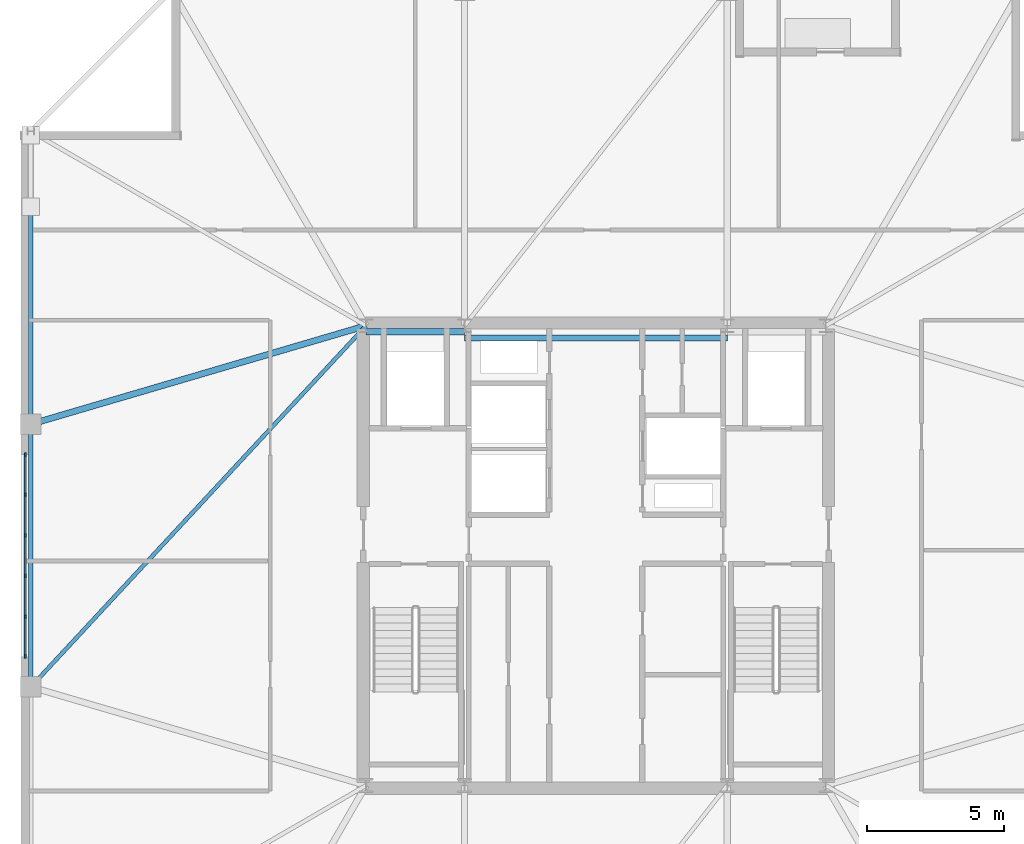
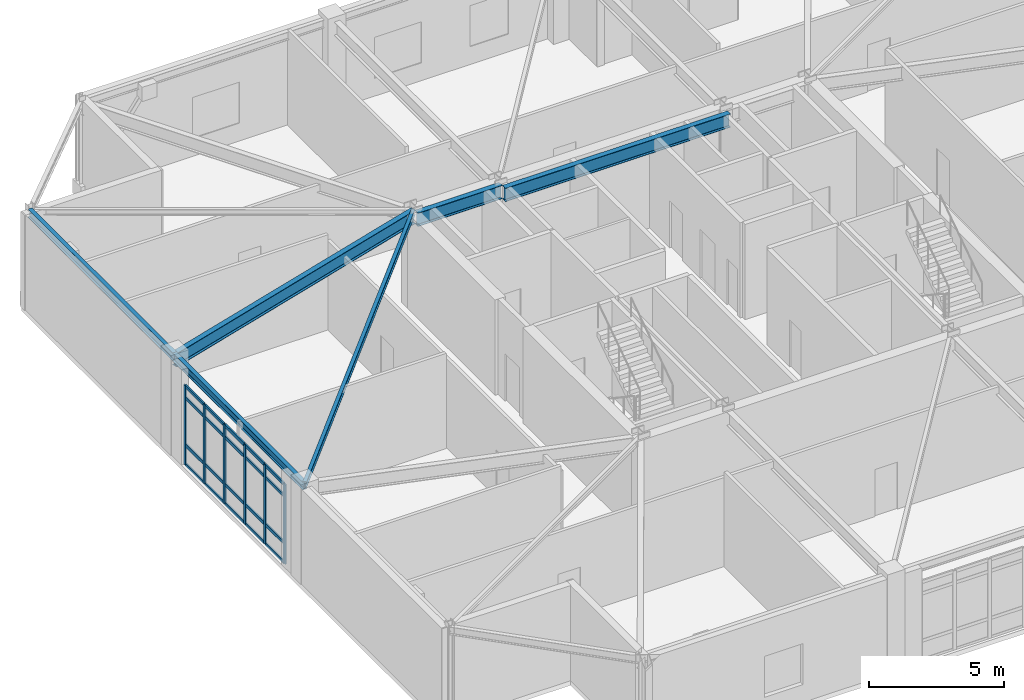
# One storey, part 8 of 16: 26 members, 6 beams, 1 element without a shape of its own.
"""IFC4 building model written with IfcOpenShell, lengths in metres."""

from ifc_helpers import new_model, si_unit, direction, frame, origin, origin_2d, place, context, subcontext, project, spatial, rectangle, i_section, extrude, material, layer, layer_set, material_profile, profile_set, type_object, element, aggregate, save


model = new_model("IFC4")

# Units and contexts
model_context = context("Model", 3, precision=1e-05, world=origin(), true_north=direction((0.0, 1.0)))
body_context = subcontext(model_context, "Body", "Model", "MODEL_VIEW")
ifc_project = project(units=[si_unit("LENGTHUNIT", "METRE"), si_unit("AREAUNIT", "SQUARE_METRE"), si_unit("VOLUMEUNIT", "CUBIC_METRE"), si_unit("PLANEANGLEUNIT", "RADIAN"), si_unit("MASSUNIT", "GRAM", prefix="KILO")], contexts=[model_context])

# Site, building, storey
site_placement = place(None, origin())
site = spatial("IfcSite", under=ifc_project, at=site_placement, CompositionType="ELEMENT")
building_placement = place(site_placement, origin())
building = spatial("IfcBuilding", under=site, at=building_placement, Name="Cairnveth Concourse Tower", CompositionType="ELEMENT")
storey_placement = place(building_placement, frame((0.0, 0.0, 315.5)))
storey = spatial("IfcBuildingStorey", under=building, at=storey_placement, Name="L87", CompositionType="ELEMENT", Elevation=315.5)

# Curtain wall, members
ifc_material_1 = material(Name="Architectural Bronze Anodised Aluminium 6063-T6", Category="aluminium")
ifc_layer = layer(ifc_material_1, 0.300048828125)
ifc_layer_set = layer_set([ifc_layer], Name="Architectural Bronze Anodised Aluminium 6063-T6")
curtain_wall_type = type_object("IfcCurtainWallType", Name="OBSERVATION HORIZON CURTAIN WALL", PredefinedType="USERDEFINED", material=ifc_layer_set)
curtain_wall_placement = place(storey_placement, origin())
curtain_wall = element("IfcCurtainWall", 1, at=curtain_wall_placement, inside=storey, type_object=curtain_wall_type, Name="Curtain Wall CW-L87-F9", ObjectType="UNITISED FACADE", PredefinedType="USERDEFINED")
ifc_material_profile_1 = material_profile(ifc_material_1, rectangle(XDim=0.06494140625, YDim=0.14990234375, at=origin_2d()), Name="AL-MUL-65x150")
ifc_profile_set_1 = profile_set([ifc_material_profile_1], Name="Architectural Bronze Anodised Aluminium 6063-T6")
member_type_1 = type_object("IfcMemberType", Name="BRONZE CURTAIN WALL MULLION AL-MUL-65x150", PredefinedType="MULLION", material=ifc_profile_set_1)
member_1_placement = place(storey_placement, frame((31.14990234375, 35.3173828125, 0.0), z_axis=(0.0, 0.0, 1.0), x_axis=(-1.0, 0.0, 0.0)))
member_1 = element("IfcMember", 2, at=member_1_placement, type_object=member_type_1, Name="CWS5 mullion 1", PredefinedType="MULLION", context=body_context, shape_type="SweptSolid", body=[
    extrude(rectangle(XDim=0.06494140625, YDim=0.14990234375, at=origin_2d()), origin(), (0.0, 0.0, 1.0), 3.577880859375),
])
member_2_placement = place(storey_placement, frame((31.14990234375, 36.77099609375, 0.0), z_axis=(0.0, 0.0, 1.0), x_axis=(-1.0, 0.0, 0.0)))
member_2 = element("IfcMember", 3, at=member_2_placement, type_object=member_type_1, Name="CWS5 mullion 2", PredefinedType="MULLION", context=body_context, shape_type="SweptSolid", body=[
    extrude(rectangle(XDim=0.06494140625, YDim=0.14990234375, at=origin_2d()), origin(), (0.0, 0.0, 1.0), 3.577880859375),
])
member_3_placement = place(storey_placement, frame((31.14990234375, 38.257080078125, 0.0), z_axis=(0.0, 0.0, 1.0), x_axis=(-1.0, 0.0, 0.0)))
member_3 = element("IfcMember", 4, at=member_3_placement, type_object=member_type_1, Name="CWS5 mullion 3", PredefinedType="MULLION", context=body_context, shape_type="SweptSolid", body=[
    extrude(rectangle(XDim=0.06494140625, YDim=0.14990234375, at=origin_2d()), origin(), (0.0, 0.0, 1.0), 3.577880859375),
])
member_4_placement = place(storey_placement, frame((31.14990234375, 39.742919921875, 0.0), z_axis=(0.0, 0.0, 1.0), x_axis=(-1.0, 0.0, 0.0)))
member_4 = element("IfcMember", 5, at=member_4_placement, type_object=member_type_1, Name="CWS5 mullion 4", PredefinedType="MULLION", context=body_context, shape_type="SweptSolid", body=[
    extrude(rectangle(XDim=0.06494140625, YDim=0.14990234375, at=origin_2d()), origin(), (0.0, 0.0, 1.0), 3.577880859375),
])
member_5_placement = place(storey_placement, frame((31.14990234375, 41.22900390625, 0.0), z_axis=(0.0, 0.0, 1.0), x_axis=(-1.0, 0.0, 0.0)))
member_5 = element("IfcMember", 6, at=member_5_placement, type_object=member_type_1, Name="CWS5 mullion 5", PredefinedType="MULLION", context=body_context, shape_type="SweptSolid", body=[
    extrude(rectangle(XDim=0.06494140625, YDim=0.14990234375, at=origin_2d()), origin(), (0.0, 0.0, 1.0), 3.577880859375),
])
member_6_placement = place(storey_placement, frame((31.14990234375, 42.6826171875, 0.0), z_axis=(0.0, 0.0, 1.0), x_axis=(-1.0, 0.0, 0.0)))
member_6 = element("IfcMember", 7, at=member_6_placement, type_object=member_type_1, Name="CWS5 mullion 6", PredefinedType="MULLION", context=body_context, shape_type="SweptSolid", body=[
    extrude(rectangle(XDim=0.06494140625, YDim=0.14990234375, at=origin_2d()), origin(), (0.0, 0.0, 1.0), 3.577880859375),
])
ifc_material_profile_2 = material_profile(ifc_material_1, rectangle(XDim=0.06494140625, YDim=0.139892578125, at=origin_2d()), Name="AL-TRN-65x140")
ifc_profile_set_2 = profile_set([ifc_material_profile_2], Name="Architectural Bronze Anodised Aluminium 6063-T6")
member_type_2 = type_object("IfcMemberType", Name="BRONZE CURTAIN WALL TRANSOM AL-TRN-65x140", PredefinedType="USERDEFINED", material=ifc_profile_set_2)
member_7_placement = place(storey_placement, frame((31.14990234375, 35.35009765625, 0.032470703125), z_axis=(0.0, 1.0, 0.0), x_axis=(-1.0, 0.0, 0.0)))
member_7 = element("IfcMember", 8, at=member_7_placement, type_object=member_type_2, Name="CWS5 transom 1.1", ObjectType="TRANSOM", PredefinedType="USERDEFINED", context=body_context, shape_type="SweptSolid", body=[
    extrude(rectangle(XDim=0.06494140625, YDim=0.139892578125, at=origin_2d()), origin(), (0.0, 0.0, 1.0), 1.388427734375),
])
member_8_placement = place(storey_placement, frame((31.14990234375, 35.35009765625, 0.89990234375), z_axis=(0.0, 1.0, 0.0), x_axis=(-1.0, 0.0, 0.0)))
member_8 = element("IfcMember", 9, at=member_8_placement, type_object=member_type_2, Name="CWS5 transom 1.2", ObjectType="TRANSOM", PredefinedType="USERDEFINED", context=body_context, shape_type="SweptSolid", body=[
    extrude(rectangle(XDim=0.06494140625, YDim=0.139892578125, at=origin_2d()), origin(), (0.0, 0.0, 1.0), 1.388427734375),
])
member_9_placement = place(storey_placement, frame((31.14990234375, 35.35009765625, 3.028076171875), z_axis=(0.0, 1.0, 0.0), x_axis=(-1.0, 0.0, 0.0)))
member_9 = element("IfcMember", 10, at=member_9_placement, type_object=member_type_2, Name="CWS5 transom 1.3", ObjectType="TRANSOM", PredefinedType="USERDEFINED", context=body_context, shape_type="SweptSolid", body=[
    extrude(rectangle(XDim=0.06494140625, YDim=0.139892578125, at=origin_2d()), origin(), (0.0, 0.0, 1.0), 1.388427734375),
])
member_10_placement = place(storey_placement, frame((31.14990234375, 35.35009765625, 3.54541015625), z_axis=(0.0, 1.0, 0.0), x_axis=(-1.0, 0.0, 0.0)))
member_10 = element("IfcMember", 11, at=member_10_placement, type_object=member_type_2, Name="CWS5 transom 1.4", ObjectType="TRANSOM", PredefinedType="USERDEFINED", context=body_context, shape_type="SweptSolid", body=[
    extrude(rectangle(XDim=0.06494140625, YDim=0.139892578125, at=origin_2d()), origin(), (0.0, 0.0, 1.0), 1.388427734375),
])
member_11_placement = place(storey_placement, frame((31.14990234375, 36.803466796875, 0.032470703125), z_axis=(0.0, 1.0, 0.0), x_axis=(-1.0, 0.0, 0.0)))
member_11 = element("IfcMember", 12, at=member_11_placement, type_object=member_type_2, Name="CWS5 transom 2.1", ObjectType="TRANSOM", PredefinedType="USERDEFINED", context=body_context, shape_type="SweptSolid", body=[
    extrude(rectangle(XDim=0.06494140625, YDim=0.139892578125, at=origin_2d()), origin(), (0.0, 0.0, 1.0), 1.421142578125),
])
member_12_placement = place(storey_placement, frame((31.14990234375, 36.803466796875, 0.89990234375), z_axis=(0.0, 1.0, 0.0), x_axis=(-1.0, 0.0, 0.0)))
member_12 = element("IfcMember", 13, at=member_12_placement, type_object=member_type_2, Name="CWS5 transom 2.2", ObjectType="TRANSOM", PredefinedType="USERDEFINED", context=body_context, shape_type="SweptSolid", body=[
    extrude(rectangle(XDim=0.06494140625, YDim=0.139892578125, at=origin_2d()), origin(), (0.0, 0.0, 1.0), 1.421142578125),
])
member_13_placement = place(storey_placement, frame((31.14990234375, 36.803466796875, 3.028076171875), z_axis=(0.0, 1.0, 0.0), x_axis=(-1.0, 0.0, 0.0)))
member_13 = element("IfcMember", 14, at=member_13_placement, type_object=member_type_2, Name="CWS5 transom 2.3", ObjectType="TRANSOM", PredefinedType="USERDEFINED", context=body_context, shape_type="SweptSolid", body=[
    extrude(rectangle(XDim=0.06494140625, YDim=0.139892578125, at=origin_2d()), origin(), (0.0, 0.0, 1.0), 1.421142578125),
])
member_14_placement = place(storey_placement, frame((31.14990234375, 36.803466796875, 3.54541015625), z_axis=(0.0, 1.0, 0.0), x_axis=(-1.0, 0.0, 0.0)))
member_14 = element("IfcMember", 15, at=member_14_placement, type_object=member_type_2, Name="CWS5 transom 2.4", ObjectType="TRANSOM", PredefinedType="USERDEFINED", context=body_context, shape_type="SweptSolid", body=[
    extrude(rectangle(XDim=0.06494140625, YDim=0.139892578125, at=origin_2d()), origin(), (0.0, 0.0, 1.0), 1.421142578125),
])
member_15_placement = place(storey_placement, frame((31.14990234375, 38.28955078125, 0.032470703125), z_axis=(0.0, 1.0, 0.0), x_axis=(-1.0, 0.0, 0.0)))
member_15 = element("IfcMember", 16, at=member_15_placement, type_object=member_type_2, Name="CWS5 transom 3.1", ObjectType="TRANSOM", PredefinedType="USERDEFINED", context=body_context, shape_type="SweptSolid", body=[
    extrude(rectangle(XDim=0.06494140625, YDim=0.139892578125, at=origin_2d()), origin(), (0.0, 0.0, 1.0), 1.4208984375),
])
member_16_placement = place(storey_placement, frame((31.14990234375, 38.28955078125, 0.89990234375), z_axis=(0.0, 1.0, 0.0), x_axis=(-1.0, 0.0, 0.0)))
member_16 = element("IfcMember", 17, at=member_16_placement, type_object=member_type_2, Name="CWS5 transom 3.2", ObjectType="TRANSOM", PredefinedType="USERDEFINED", context=body_context, shape_type="SweptSolid", body=[
    extrude(rectangle(XDim=0.06494140625, YDim=0.139892578125, at=origin_2d()), origin(), (0.0, 0.0, 1.0), 1.4208984375),
])
member_17_placement = place(storey_placement, frame((31.14990234375, 38.28955078125, 3.028076171875), z_axis=(0.0, 1.0, 0.0), x_axis=(-1.0, 0.0, 0.0)))
member_17 = element("IfcMember", 18, at=member_17_placement, type_object=member_type_2, Name="CWS5 transom 3.3", ObjectType="TRANSOM", PredefinedType="USERDEFINED", context=body_context, shape_type="SweptSolid", body=[
    extrude(rectangle(XDim=0.06494140625, YDim=0.139892578125, at=origin_2d()), origin(), (0.0, 0.0, 1.0), 1.4208984375),
])
member_18_placement = place(storey_placement, frame((31.14990234375, 38.28955078125, 3.54541015625), z_axis=(0.0, 1.0, 0.0), x_axis=(-1.0, 0.0, 0.0)))
member_18 = element("IfcMember", 19, at=member_18_placement, type_object=member_type_2, Name="CWS5 transom 3.4", ObjectType="TRANSOM", PredefinedType="USERDEFINED", context=body_context, shape_type="SweptSolid", body=[
    extrude(rectangle(XDim=0.06494140625, YDim=0.139892578125, at=origin_2d()), origin(), (0.0, 0.0, 1.0), 1.4208984375),
])
member_19_placement = place(storey_placement, frame((31.14990234375, 39.775390625, 0.032470703125), z_axis=(0.0, 1.0, 0.0), x_axis=(-1.0, 0.0, 0.0)))
member_19 = element("IfcMember", 20, at=member_19_placement, type_object=member_type_2, Name="CWS5 transom 4.1", ObjectType="TRANSOM", PredefinedType="USERDEFINED", context=body_context, shape_type="SweptSolid", body=[
    extrude(rectangle(XDim=0.06494140625, YDim=0.139892578125, at=origin_2d()), origin(), (0.0, 0.0, 1.0), 1.421142578125),
])
member_20_placement = place(storey_placement, frame((31.14990234375, 39.775390625, 0.89990234375), z_axis=(0.0, 1.0, 0.0), x_axis=(-1.0, 0.0, 0.0)))
member_20 = element("IfcMember", 21, at=member_20_placement, type_object=member_type_2, Name="CWS5 transom 4.2", ObjectType="TRANSOM", PredefinedType="USERDEFINED", context=body_context, shape_type="SweptSolid", body=[
    extrude(rectangle(XDim=0.06494140625, YDim=0.139892578125, at=origin_2d()), origin(), (0.0, 0.0, 1.0), 1.421142578125),
])
member_21_placement = place(storey_placement, frame((31.14990234375, 39.775390625, 3.028076171875), z_axis=(0.0, 1.0, 0.0), x_axis=(-1.0, 0.0, 0.0)))
member_21 = element("IfcMember", 22, at=member_21_placement, type_object=member_type_2, Name="CWS5 transom 4.3", ObjectType="TRANSOM", PredefinedType="USERDEFINED", context=body_context, shape_type="SweptSolid", body=[
    extrude(rectangle(XDim=0.06494140625, YDim=0.139892578125, at=origin_2d()), origin(), (0.0, 0.0, 1.0), 1.421142578125),
])
member_22_placement = place(storey_placement, frame((31.14990234375, 39.775390625, 3.54541015625), z_axis=(0.0, 1.0, 0.0), x_axis=(-1.0, 0.0, 0.0)))
member_22 = element("IfcMember", 23, at=member_22_placement, type_object=member_type_2, Name="CWS5 transom 4.4", ObjectType="TRANSOM", PredefinedType="USERDEFINED", context=body_context, shape_type="SweptSolid", body=[
    extrude(rectangle(XDim=0.06494140625, YDim=0.139892578125, at=origin_2d()), origin(), (0.0, 0.0, 1.0), 1.421142578125),
])
member_23_placement = place(storey_placement, frame((31.14990234375, 41.261474609375, 0.032470703125), z_axis=(0.0, 1.0, 0.0), x_axis=(-1.0, 0.0, 0.0)))
member_23 = element("IfcMember", 24, at=member_23_placement, type_object=member_type_2, Name="CWS5 transom 5.1", ObjectType="TRANSOM", PredefinedType="USERDEFINED", context=body_context, shape_type="SweptSolid", body=[
    extrude(rectangle(XDim=0.06494140625, YDim=0.139892578125, at=origin_2d()), origin(), (0.0, 0.0, 1.0), 1.388427734375),
])
member_24_placement = place(storey_placement, frame((31.14990234375, 41.261474609375, 0.89990234375), z_axis=(0.0, 1.0, 0.0), x_axis=(-1.0, 0.0, 0.0)))
member_24 = element("IfcMember", 25, at=member_24_placement, type_object=member_type_2, Name="CWS5 transom 5.2", ObjectType="TRANSOM", PredefinedType="USERDEFINED", context=body_context, shape_type="SweptSolid", body=[
    extrude(rectangle(XDim=0.06494140625, YDim=0.139892578125, at=origin_2d()), origin(), (0.0, 0.0, 1.0), 1.388427734375),
])
member_25_placement = place(storey_placement, frame((31.14990234375, 41.261474609375, 3.028076171875), z_axis=(0.0, 1.0, 0.0), x_axis=(-1.0, 0.0, 0.0)))
member_25 = element("IfcMember", 26, at=member_25_placement, type_object=member_type_2, Name="CWS5 transom 5.3", ObjectType="TRANSOM", PredefinedType="USERDEFINED", context=body_context, shape_type="SweptSolid", body=[
    extrude(rectangle(XDim=0.06494140625, YDim=0.139892578125, at=origin_2d()), origin(), (0.0, 0.0, 1.0), 1.388427734375),
])
member_26_placement = place(storey_placement, frame((31.14990234375, 41.261474609375, 3.54541015625), z_axis=(0.0, 1.0, 0.0), x_axis=(-1.0, 0.0, 0.0)))
member_26 = element("IfcMember", 27, at=member_26_placement, type_object=member_type_2, Name="CWS5 transom 5.4", ObjectType="TRANSOM", PredefinedType="USERDEFINED", context=body_context, shape_type="SweptSolid", body=[
    extrude(rectangle(XDim=0.06494140625, YDim=0.139892578125, at=origin_2d()), origin(), (0.0, 0.0, 1.0), 1.388427734375),
])
aggregate(curtain_wall, [member_1, member_2, member_3, member_4, member_5, member_6, member_7, member_8, member_9, member_10, member_11, member_12, member_13, member_14, member_15, member_16, member_17, member_18, member_19, member_20, member_21, member_22, member_23, member_24, member_25, member_26])

# Beams
ifc_material_2 = material(Name="Steel Grade 350", Category="steel")
ifc_material_profile_3 = material_profile(ifc_material_2, i_section(OverallWidth=0.22802734375, OverallDepth=0.60693359375, WebThickness=0.01123046875, FlangeThickness=0.017333984375, FilletRadius=0.013916015625, at=origin_2d()), Name="610UB113")
ifc_profile_set_3 = profile_set([ifc_material_profile_3], Name="Steel Grade 350")
beam_type_1 = type_object("IfcBeamType", Name="CORE TIE BEAM 610UB113", PredefinedType="T_BEAM", material=ifc_profile_set_3)
beam_1_placement = place(storey_placement, frame((43.60009765625, 47.179931640625, 3.986572265625), z_axis=(1.0, 0.0, 0.0), x_axis=(0.0, 1.0, 0.0)))
element("IfcBeam", 28, at=beam_1_placement, inside=storey, type_object=beam_type_1, Name="Beam CT-N1 L87", PredefinedType="T_BEAM", context=body_context, shape_type="SweptSolid", body=[
    extrude(i_section(OverallWidth=0.22802734375, OverallDepth=0.60693359375, WebThickness=0.01123046875, FlangeThickness=0.017333984375, FilletRadius=0.013916015625, at=origin_2d()), origin(), (0.0, 0.0, 1.0), 3.599853515625),
])
beam_2_placement = place(storey_placement, frame((47.199951171875, 46.949951171875, 3.986572265625), z_axis=(1.0, 0.0, 0.0), x_axis=(0.0, 1.0, 0.0)))
element("IfcBeam", 29, at=beam_2_placement, inside=storey, type_object=beam_type_1, Name="Beam CT-N2 L87", PredefinedType="T_BEAM", context=body_context, shape_type="SweptSolid", body=[
    extrude(i_section(OverallWidth=0.22802734375, OverallDepth=0.60693359375, WebThickness=0.01123046875, FlangeThickness=0.017333984375, FilletRadius=0.013916015625, at=origin_2d()), origin(), (0.0, 0.0, 1.0), 9.60009765625),
])
ifc_material_profile_4 = material_profile(ifc_material_2, i_section(OverallWidth=0.14599609375, OverallDepth=0.256103515625, WebThickness=0.00634765625, FlangeThickness=0.010986328125, FilletRadius=0.009033203125, at=origin_2d()), Name="250UB37.3")
ifc_profile_set_4 = profile_set([ifc_material_profile_4], Name="Steel Grade 350")
beam_type_2 = type_object("IfcBeamType", Name="ZONE 4 FLOOR JOIST 250UB37.3", PredefinedType="JOIST", material=ifc_profile_set_4)
beam_3_placement = place(storey_placement, frame((31.35009765625, 34.199951171875, 4.162109375), z_axis=(0.680239432161, 0.732989982833, 0.0), x_axis=(-0.732989982833, 0.680239432161, 0.0)))
element("IfcBeam", 30, at=beam_3_placement, inside=storey, type_object=beam_type_2, Name="Beam FJ-W-M1 L87", PredefinedType="JOIST", context=body_context, shape_type="SweptSolid", body=[
    extrude(i_section(OverallWidth=0.14599609375, OverallDepth=0.256103515625, WebThickness=0.00634765625, FlangeThickness=0.010986328125, FilletRadius=0.009033203125, at=origin_2d()), origin(), (0.0, 0.0, 1.0), 18.00830078125),
])
ifc_material_profile_5 = material_profile(ifc_material_2, i_section(OverallWidth=0.22900390625, OverallDepth=0.612060546875, WebThickness=0.011962890625, FlangeThickness=0.01953125, FilletRadius=0.013916015625, at=origin_2d()), Name="610UB125")
ifc_profile_set_5 = profile_set([ifc_material_profile_5], Name="Steel Grade 350")
beam_type_3 = type_object("IfcBeamType", Name="ZONE 4 RADIAL GIRDER 610UB125", PredefinedType="BEAM", material=ifc_profile_set_5)
beam_4_placement = place(storey_placement, frame((31.35009765625, 43.800048828125, 3.98388671875), z_axis=(0.959430938842, 0.281943741893, 0.0), x_axis=(-0.281943741893, 0.959430938842, 0.0)))
element("IfcBeam", 31, at=beam_4_placement, inside=storey, type_object=beam_type_3, Name="Beam RG-W2 L87", PredefinedType="BEAM", context=body_context, shape_type="SweptSolid", body=[
    extrude(i_section(OverallWidth=0.22900390625, OverallDepth=0.612060546875, WebThickness=0.011962890625, FlangeThickness=0.01953125, FilletRadius=0.013916015625, at=origin_2d()), origin(), (0.0, 0.0, 1.0), 12.76806640625),
])
ifc_material_profile_6 = material_profile(ifc_material_2, i_section(OverallWidth=0.172119140625, OverallDepth=0.35888671875, WebThickness=0.008056640625, FlangeThickness=0.012939453125, FilletRadius=0.010986328125, at=origin_2d()), Name="360UB56.7")
ifc_profile_set_6 = profile_set([ifc_material_profile_6], Name="Steel Grade 350")
beam_type_4 = type_object("IfcBeamType", Name="ZONE 4 SPANDREL BEAM 360UB56.7", PredefinedType="SPANDREL", material=ifc_profile_set_6)
beam_5_placement = place(storey_placement, frame((31.35009765625, 34.199951171875, 4.110595703125), z_axis=(0.0, 1.0, 0.0), x_axis=(-1.0, 0.0, 0.0)))
element("IfcBeam", 32, at=beam_5_placement, inside=storey, type_object=beam_type_4, Name="Beam SP-W2 L87", PredefinedType="SPANDREL", context=body_context, shape_type="SweptSolid", body=[
    extrude(i_section(OverallWidth=0.172119140625, OverallDepth=0.35888671875, WebThickness=0.008056640625, FlangeThickness=0.012939453125, FilletRadius=0.010986328125, at=origin_2d()), origin(), (0.0, 0.0, 1.0), 9.60009765625),
])
beam_6_placement = place(storey_placement, frame((31.35009765625, 43.800048828125, 4.110595703125), z_axis=(0.0, 1.0, 0.0), x_axis=(-1.0, 0.0, 0.0)))
element("IfcBeam", 33, at=beam_6_placement, inside=storey, type_object=beam_type_4, Name="Beam SP-W3 L87", PredefinedType="SPANDREL", context=body_context, shape_type="SweptSolid", body=[
    extrude(i_section(OverallWidth=0.172119140625, OverallDepth=0.35888671875, WebThickness=0.008056640625, FlangeThickness=0.012939453125, FilletRadius=0.010986328125, at=origin_2d()), origin(), (0.0, 0.0, 1.0), 10.699951171875),
])

save(model, "model.ifc")
